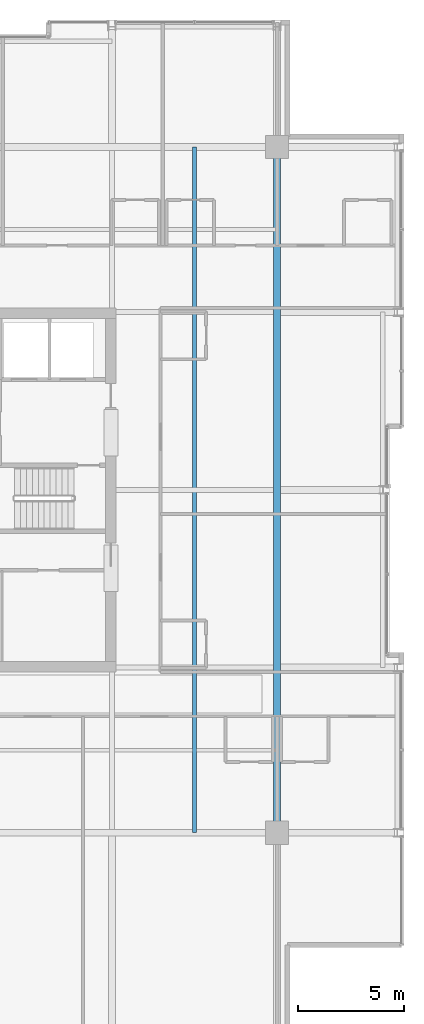
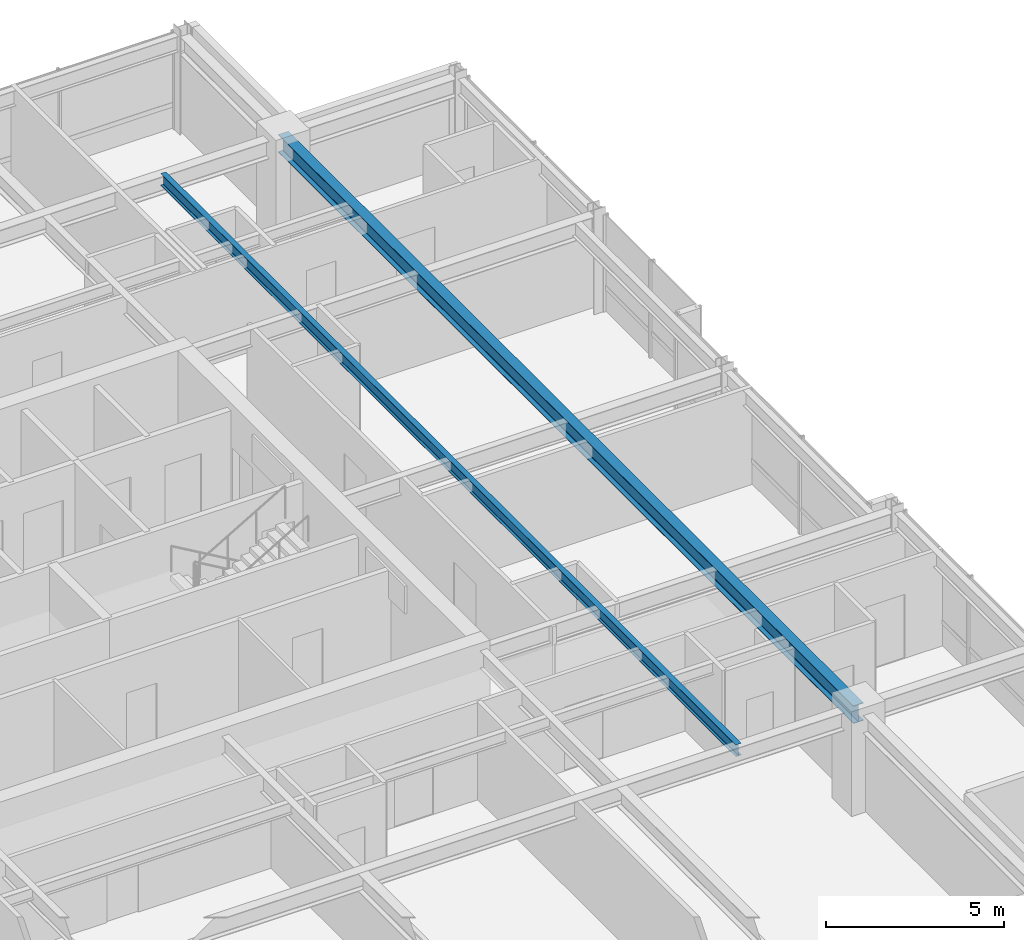
# One storey, part 15 of 32: 2 beams.
"""IFC4 building model written with IfcOpenShell, lengths in metres."""

from ifc_helpers import new_model, si_unit, direction, frame, origin, origin_2d, place, context, subcontext, project, spatial, i_section, extrude, material, material_profile, profile_set, type_object, element, save


model = new_model("IFC4")

# Units and contexts
model_context = context("Model", 3, precision=1e-05, world=origin(), true_north=direction((0.0, 1.0)))
body_context = subcontext(model_context, "Body", "Model", "MODEL_VIEW")
ifc_project = project(units=[si_unit("LENGTHUNIT", "METRE"), si_unit("AREAUNIT", "SQUARE_METRE"), si_unit("VOLUMEUNIT", "CUBIC_METRE"), si_unit("PLANEANGLEUNIT", "RADIAN"), si_unit("MASSUNIT", "GRAM", prefix="KILO")], contexts=[model_context])

# Site, building, storey
site_placement = place(None, origin())
site = spatial("IfcSite", under=ifc_project, at=site_placement, CompositionType="ELEMENT")
building_placement = place(site_placement, origin())
building = spatial("IfcBuilding", under=site, at=building_placement, Name="Drelvath Grand Hotel", CompositionType="ELEMENT")
storey_placement = place(building_placement, frame((0.0, 0.0, 241.10009765625)))
storey = spatial("IfcBuildingStorey", under=building, at=storey_placement, Name="L63", CompositionType="ELEMENT", Elevation=241.10009765625)

# Beams
ifc_material = material(Name="Steel ASTM A992 Gr 50", Category="steel")
ifc_material_profile_1 = material_profile(ifc_material, i_section(OverallWidth=0.177734375, OverallDepth=0.40673828125, WebThickness=0.0078125, FlangeThickness=0.0126953125, FilletRadius=0.014892578125, at=origin_2d()), Name="W16X40")
ifc_profile_set_1 = profile_set([ifc_material_profile_1], Name="Steel ASTM A992 Gr 50")
beam_type_1 = type_object("IfcBeamType", Name="Composite Floor Joist W16X40", PredefinedType="JOIST", material=ifc_profile_set_1)
beam_1_placement = place(storey_placement, frame((12.300048828125, 10.800048828125, 3.136474609375), z_axis=(0.0, 1.0, 0.0), x_axis=(-1.0, 0.0, 0.0)))
element("IfcBeam", 1, at=beam_1_placement, inside=storey, type_object=beam_type_1, Name="L63 Wing Floor Joist J4", PredefinedType="JOIST", context=body_context, shape_type="SweptSolid", body=[
    extrude(i_section(OverallWidth=0.177734375, OverallDepth=0.40673828125, WebThickness=0.0078125, FlangeThickness=0.0126953125, FilletRadius=0.014892578125, at=origin_2d()), origin(), (0.0, 0.0, 1.0), 32.39990234375),
])
ifc_material_profile_2 = material_profile(ifc_material, i_section(OverallWidth=0.323974609375, OverallDepth=0.611083984375, WebThickness=0.0126953125, FlangeThickness=0.01904296875, FilletRadius=0.02197265625, at=origin_2d()), Name="W24X104")
ifc_profile_set_2 = profile_set([ifc_material_profile_2], Name="Steel ASTM A992 Gr 50")
beam_type_2 = type_object("IfcBeamType", Name="Primary Floor Girder W24X104", PredefinedType="BEAM", material=ifc_profile_set_2)
beam_2_placement = place(storey_placement, frame((16.199951171875, 10.800048828125, 3.034423828125), z_axis=(0.0, 1.0, 0.0), x_axis=(-1.0, 0.0, 0.0)))
element("IfcBeam", 2, at=beam_2_placement, inside=storey, type_object=beam_type_2, Name="L63 Mega Ring Girder East", PredefinedType="BEAM", context=body_context, shape_type="SweptSolid", body=[
    extrude(i_section(OverallWidth=0.323974609375, OverallDepth=0.611083984375, WebThickness=0.0126953125, FlangeThickness=0.01904296875, FilletRadius=0.02197265625, at=origin_2d()), origin(), (0.0, 0.0, 1.0), 32.39990234375),
])

save(model, "model.ifc")
